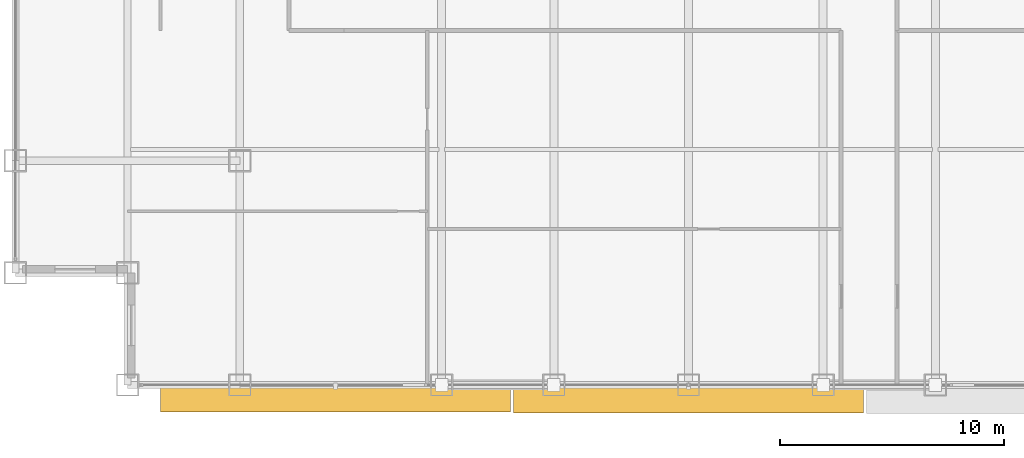
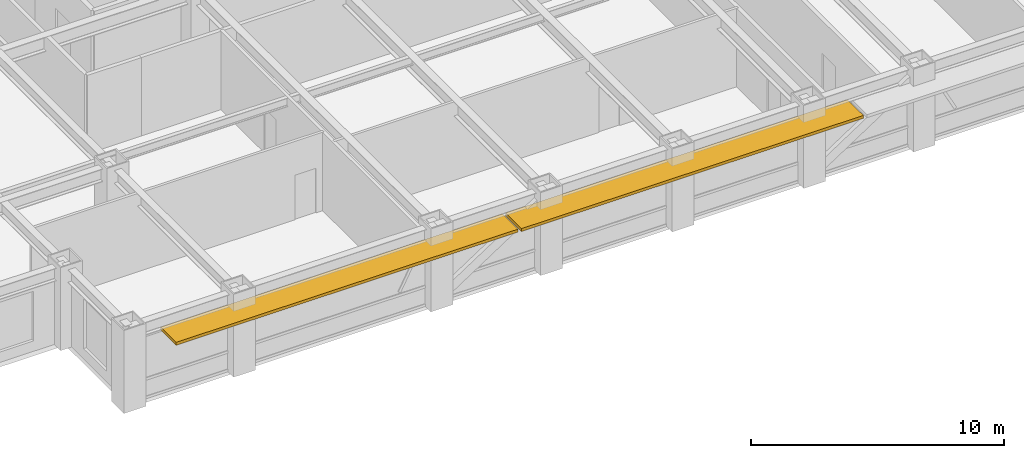
# One storey, part 25 of 29: 2 shading devices.
"""IFC4 building model written with IfcOpenShell, lengths in metres."""

from ifc_helpers import new_model, si_unit, direction, frame, origin, origin_2d, place, context, subcontext, project, spatial, rectangle, extrude, source, transform, mapped, material, layer, layer_set, type_object, element, save


model = new_model("IFC4")

# Units and contexts
model_context = context("Model", 3, precision=1e-05, world=origin(), true_north=direction((0.0, 1.0)))
body_context = subcontext(model_context, "Body", "Model", "MODEL_VIEW")
ifc_project = project(units=[si_unit("LENGTHUNIT", "METRE"), si_unit("AREAUNIT", "SQUARE_METRE"), si_unit("VOLUMEUNIT", "CUBIC_METRE"), si_unit("PLANEANGLEUNIT", "RADIAN"), si_unit("MASSUNIT", "GRAM", prefix="KILO")], contexts=[model_context])

# Site, building, storey
site_placement = place(None, origin())
site = spatial("IfcSite", under=ifc_project, at=site_placement, CompositionType="ELEMENT")
building_placement = place(site_placement, origin())
building = spatial("IfcBuilding", under=site, at=building_placement, Name="Khorayat Bourse Tower", CompositionType="ELEMENT")
storey_placement = place(building_placement, frame((0.0, 0.0, 235.10009765625)))
storey = spatial("IfcBuildingStorey", under=building, at=storey_placement, Name="L55", CompositionType="ELEMENT", Elevation=235.10009765625)

# Shading devices
ifc_material = material(Name="Precast concrete C45/55", Category="concrete")
ifc_layer = layer(ifc_material, 0.139892578125)
ifc_layer_set = layer_set([ifc_layer], Name="Precast concrete C45/55")
shading_device_type = type_object("IfcShadingDeviceType", Name="SHD-WAVE-TRAY-A", PredefinedType="USERDEFINED", material=ifc_layer_set)
shared_shape_1 = source(origin(), body_context, "Body", "SweptSolid", [
    extrude(rectangle(XDim=15.59326171875, YDim=1.223876953125, at=origin_2d()), origin(), (0.0, 0.0, 1.0), 0.139892578125),
])
shading_device_1_placement = place(storey_placement, frame((-15.7333984375, -30.592041015625, 3.02978515625), z_axis=(0.0, 0.0, 1.0), x_axis=(1.0, 0.0, 0.0)))
element("IfcShadingDevice", 1, at=shading_device_1_placement, inside=storey, type_object=shading_device_type, Name="L55 Sinusoidal Wave Sunshade Tray S-1", ObjectType="SUNSHADE", PredefinedType="USERDEFINED", context=body_context, shape_type="MappedRepresentation", body=[
    mapped(shared_shape_1, transform((0.0, 0.0, 0.0), scale=1.0)),
])
shared_shape_2 = source(origin(), body_context, "Body", "SweptSolid", [
    extrude(rectangle(XDim=15.59326171875, YDim=1.260986328125, at=origin_2d()), origin(), (0.0, 0.0, 1.0), 0.139892578125),
])
shading_device_2_placement = place(storey_placement, frame((0.0, -30.610595703125, 3.02978515625), z_axis=(0.0, 0.0, 1.0), x_axis=(1.0, 0.0, 0.0)))
element("IfcShadingDevice", 2, at=shading_device_2_placement, inside=storey, type_object=shading_device_type, Name="L55 Sinusoidal Wave Sunshade Tray S-2", ObjectType="SUNSHADE", PredefinedType="USERDEFINED", context=body_context, shape_type="MappedRepresentation", body=[
    mapped(shared_shape_2, transform((0.0, 0.0, 0.0), scale=1.0)),
])

save(model, "model.ifc")
